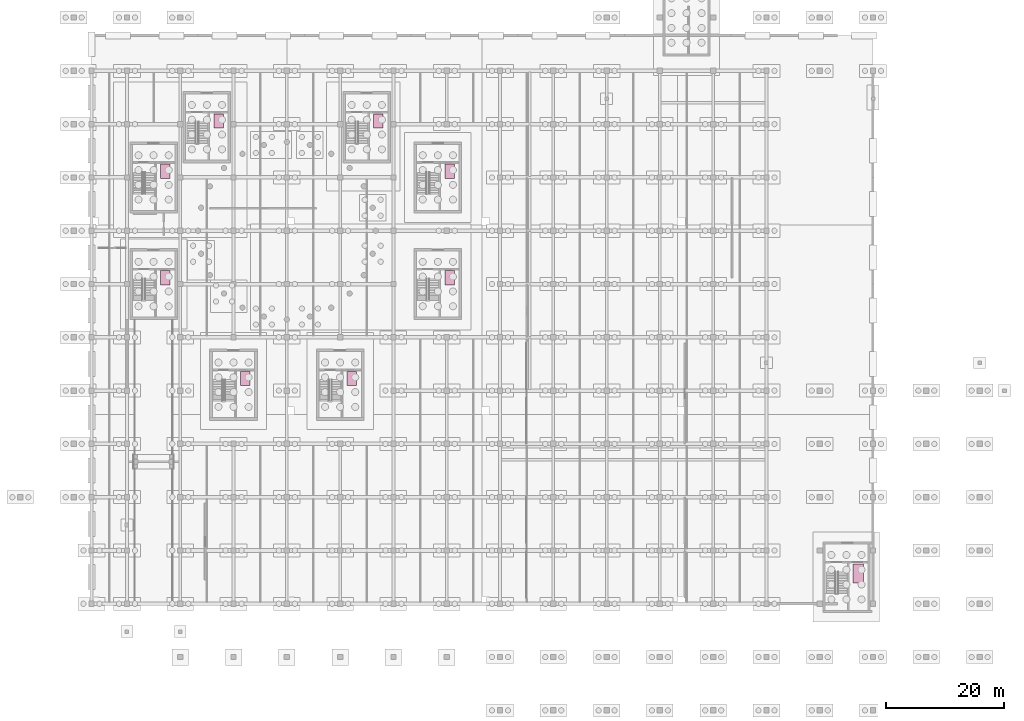
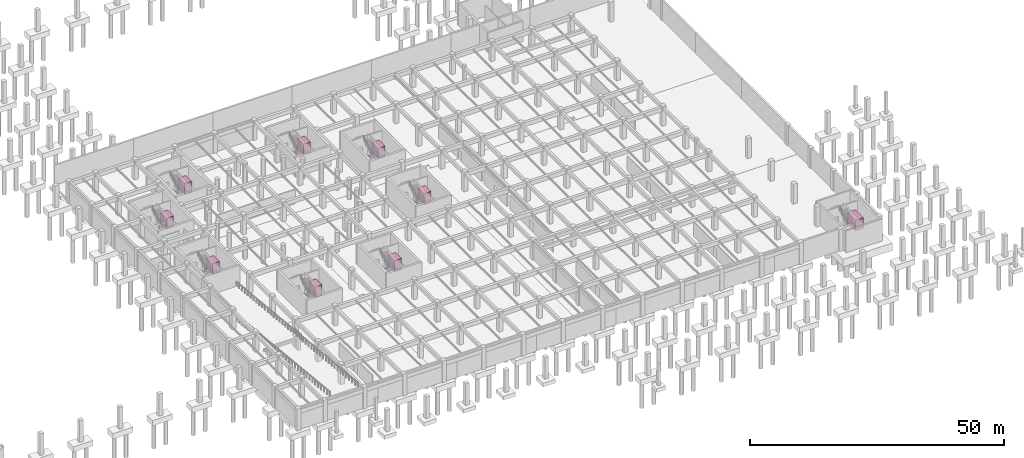
# One storey, part 27 of 27: 9 transport elements.
"""IFC4 building model written with IfcOpenShell, lengths in metres."""

from ifc_helpers import new_model, si_unit, direction, frame, origin, origin_2d, place, context, subcontext, project, spatial, rectangle, extrude, material, type_object, element, save


model = new_model("IFC4")

# Units and contexts
model_context = context("Model", 3, precision=1e-05, world=origin(), true_north=direction((0.0, 1.0)))
body_context = subcontext(model_context, "Body", "Model", "MODEL_VIEW")
ifc_project = project(units=[si_unit("LENGTHUNIT", "METRE"), si_unit("AREAUNIT", "SQUARE_METRE"), si_unit("VOLUMEUNIT", "CUBIC_METRE"), si_unit("PLANEANGLEUNIT", "RADIAN"), si_unit("MASSUNIT", "GRAM", prefix="KILO")], contexts=[model_context])

# Site, building, storey
site_placement = place(None, origin())
site = spatial("IfcSite", under=ifc_project, at=site_placement, CompositionType="ELEMENT")
building_placement = place(site_placement, origin())
building = spatial("IfcBuilding", under=site, at=building_placement, Name="Dornveld Trade and Exhibition Forum", CompositionType="ELEMENT")
storey_placement = place(building_placement, frame((0.0, 0.0, -4.800048828125)))
storey = spatial("IfcBuildingStorey", under=building, at=storey_placement, Name="B1", CompositionType="ELEMENT", Elevation=-4.800048828125)

# Transport elements
ifc_material_1 = material(Name="Heavy-duty stainless steel freight lift car", Category="steel")
transport_element_type_1 = type_object("IfcTransportElementType", Name="LFT-GOODS-1800", PredefinedType="ELEVATOR", material=ifc_material_1)
transport_element_placement = place(storey_placement, frame((213.47509765625, 23.14990234375, 0.0), z_axis=(0.0, 0.0, 1.0), x_axis=(1.0, 0.0, 0.0)))
element("IfcTransportElement", 1, at=transport_element_placement, inside=storey, type_object=transport_element_type_1, Name="CORE-11 heavy freight lift LFT-11", PredefinedType="ELEVATOR", context=body_context, shape_type="SweptSolid", body=[
    extrude(rectangle(XDim=1.800048828125, YDim=3.199951171875, at=origin_2d()), origin(), (0.0, 0.0, 1.0), 2.550048828125),
])
ifc_material_2 = material(Name="Brushed stainless steel lift car", Category="steel")
transport_element_type_2 = type_object("IfcTransportElementType", Name="LFT-PASS-1600", PredefinedType="ELEVATOR", material=ifc_material_2)
for number, where, z_axis, x_axis, name in (
    (2, (144.47509765625, 91.050048828125, 0.0), (0.0, 0.0, 1.0), (1.0, 0.0, 0.0), "CORE-01 stretcher passenger lift LFT-01"),
    (3, (132.47509765625, 99.550048828125, 0.0), (0.0, 0.0, 1.0), (1.0, 0.0, 0.0), "CORE-02 stretcher passenger lift LFT-02"),
    (4, (105.47509765625, 99.550048828125, 0.0), (0.0, 0.0, 1.0), (1.0, 0.0, 0.0), "CORE-03 stretcher passenger lift LFT-03"),
    (5, (96.47509765625, 91.050048828125, 0.0), (0.0, 0.0, 1.0), (1.0, 0.0, 0.0), "CORE-04 stretcher passenger lift LFT-04"),
    (6, (96.47509765625, 73.050048828125, 0.0), (0.0, 0.0, 1.0), (1.0, 0.0, 0.0), "CORE-05 stretcher passenger lift LFT-05"),
    (7, (109.97509765625, 56.050048828125, 0.0), (0.0, 0.0, 1.0), (1.0, 0.0, 0.0), "CORE-06 stretcher passenger lift LFT-06"),
    (8, (127.97509765625, 56.050048828125, 0.0), (0.0, 0.0, 1.0), (1.0, 0.0, 0.0), "CORE-07 stretcher passenger lift LFT-07"),
    (9, (144.47509765625, 73.050048828125, 0.0), (0.0, 0.0, 1.0), (1.0, 0.0, 0.0), "CORE-08 stretcher passenger lift LFT-08"),
):
    element("IfcTransportElement", number, at=place(storey_placement, frame(where, z_axis=z_axis, x_axis=x_axis)), inside=storey, type_object=transport_element_type_2, Name=name, PredefinedType="ELEVATOR", context=body_context, shape_type="SweptSolid", body=[
        extrude(rectangle(XDim=1.60009765625, YDim=2.39990234375, at=origin_2d()), origin(), (0.0, 0.0, 1.0), 2.550048828125),
    ])

save(model, "model.ifc")
